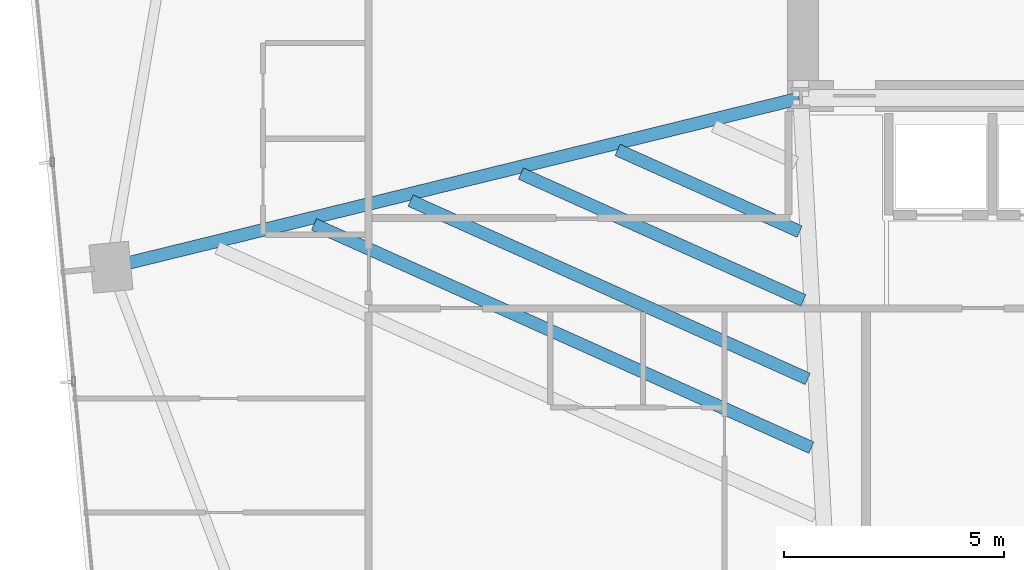
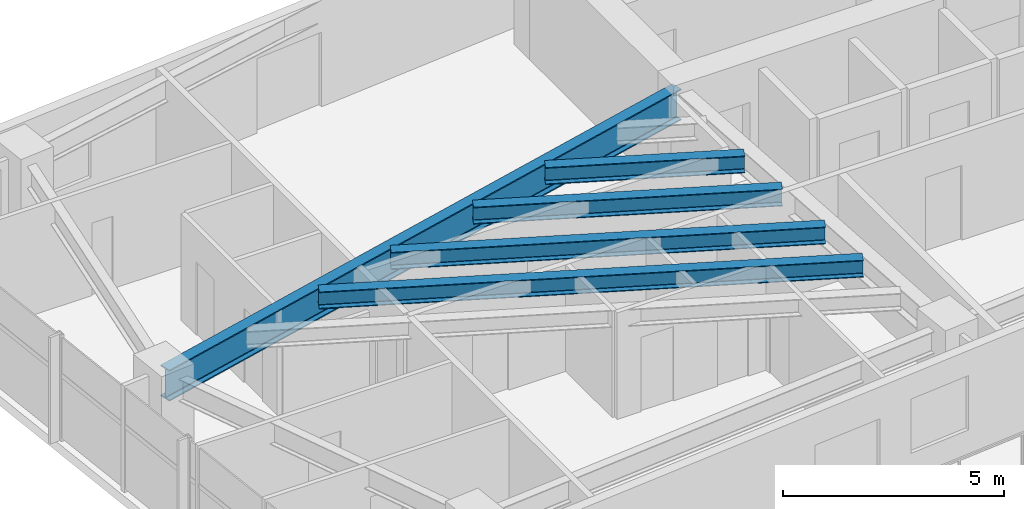
# One storey, part 5 of 27: 5 beams.
"""IFC4 building model written with IfcOpenShell, lengths in metres."""

from ifc_helpers import new_model, si_unit, direction, frame, origin, origin_2d, place, context, subcontext, project, spatial, i_section, extrude, source, transform, mapped, material, material_profile, profile_set, type_object, type_shapes, element, save


model = new_model("IFC4")

# Units and contexts
model_context = context("Model", 3, precision=1e-05, world=origin(), true_north=direction((0.0, 1.0)))
body_context = subcontext(model_context, "Body", "Model", "MODEL_VIEW")
ifc_project = project(units=[si_unit("LENGTHUNIT", "METRE"), si_unit("AREAUNIT", "SQUARE_METRE"), si_unit("VOLUMEUNIT", "CUBIC_METRE"), si_unit("PLANEANGLEUNIT", "RADIAN"), si_unit("MASSUNIT", "GRAM", prefix="KILO")], contexts=[model_context])

# Site, building, storey
site_placement = place(None, origin())
site = spatial("IfcSite", under=ifc_project, at=site_placement, CompositionType="ELEMENT")
building_placement = place(site_placement, origin())
building = spatial("IfcBuilding", under=site, at=building_placement, Name="Astriad Promenade Condominiums", CompositionType="ELEMENT")
storey_placement = place(building_placement, frame((0.0, 0.0, 93.800048828125)))
storey = spatial("IfcBuildingStorey", under=building, at=storey_placement, Name="L26", CompositionType="ELEMENT", Elevation=93.800048828125)

# Beams
ifc_material = material(Name="Steel ASTM A992 Grade 50", Category="steel")
ifc_material_profile_1 = material_profile(ifc_material, i_section(OverallWidth=0.2919921875, OverallDepth=0.85888671875, WebThickness=0.01708984375, FlangeThickness=0.031005859375, FilletRadius=0.02294921875, at=origin_2d()), Name="W33X169")
ifc_profile_set_1 = profile_set([ifc_material_profile_1], Name="Steel ASTM A992 Grade 50")
beam_type_1 = type_object("IfcBeamType", Name="STEEL PRIMARY GIRDER W33X169", PredefinedType="BEAM", material=ifc_profile_set_1)
shared_shape_1 = source(origin(), body_context, "Body", "SweptSolid", [
    extrude(i_section(OverallWidth=0.2919921875, OverallDepth=0.85888671875, WebThickness=0.01708984375, FlangeThickness=0.031005859375, FilletRadius=0.02294921875, at=origin_2d()), origin(), (0.0, 0.0, 1.0), 16.032470703125),
])
type_shapes(beam_type_1, [shared_shape_1])
beam_1_placement = place(storey_placement, frame((10.790283203125, 13.5703125, 2.510498046875), z_axis=(0.971199076901, 0.238269496633, 0.0), x_axis=(-0.238269496633, 0.971199076901, 0.0)))
element("IfcBeam", 1, at=beam_1_placement, inside=storey, type_object=beam_type_1, Name="Primary Floor Girder PG-WM-L26", PredefinedType="BEAM", context=body_context, shape_type="MappedRepresentation", body=[
    mapped(shared_shape_1, transform((0.0, 0.0, 0.0), scale=1.0)),
])
ifc_material_profile_2 = material_profile(ifc_material, i_section(OverallWidth=0.283203125, OverallDepth=0.47216796875, WebThickness=0.013671875, FlangeThickness=0.022216796875, FilletRadius=0.01513671875, at=origin_2d()), Name="W18X97")
ifc_profile_set_2 = profile_set([ifc_material_profile_2], Name="Steel ASTM A992 Grade 50")
beam_type_2 = type_object("IfcBeamType", Name="STEEL FLOOR JOIST W18X97", PredefinedType="JOIST", material=ifc_profile_set_2)
shared_shape_2 = source(origin(), body_context, "Body", "SweptSolid", [
    extrude(i_section(OverallWidth=0.283203125, OverallDepth=0.47216796875, WebThickness=0.013671875, FlangeThickness=0.022216796875, FilletRadius=0.01513671875, at=origin_2d()), origin(), (0.0, 0.0, 1.0), 12.369140625),
])
beam_2_placement = place(storey_placement, frame((15.35888671875, 14.534423828125, 2.703857421875), z_axis=(0.91230851279, -0.409503574454, 0.0), x_axis=(0.409503574454, 0.91230851279, 0.0)))
element("IfcBeam", 2, at=beam_2_placement, inside=storey, type_object=beam_type_2, Name="Secondary Composite Floor Joist JW1-2-L26", PredefinedType="JOIST", context=body_context, shape_type="MappedRepresentation", body=[
    mapped(shared_shape_2, transform((0.0, 0.0, 0.0), scale=1.0)),
])
shared_shape_3 = source(origin(), body_context, "Body", "SweptSolid", [
    extrude(i_section(OverallWidth=0.283203125, OverallDepth=0.47216796875, WebThickness=0.013671875, FlangeThickness=0.022216796875, FilletRadius=0.01513671875, at=origin_2d()), origin(), (0.0, 0.0, 1.0), 9.875),
])
beam_3_placement = place(storey_placement, frame((17.549560546875, 15.072021484375, 2.703857421875), z_axis=(0.912313833055, -0.409491721549, 0.0), x_axis=(0.409491721549, 0.912313833055, 0.0)))
element("IfcBeam", 3, at=beam_3_placement, inside=storey, type_object=beam_type_2, Name="Secondary Composite Floor Joist JW1-3-L26", PredefinedType="JOIST", context=body_context, shape_type="MappedRepresentation", body=[
    mapped(shared_shape_3, transform((0.0, 0.0, 0.0), scale=1.0)),
])
shared_shape_4 = source(origin(), body_context, "Body", "SweptSolid", [
    extrude(i_section(OverallWidth=0.283203125, OverallDepth=0.47216796875, WebThickness=0.013671875, FlangeThickness=0.022216796875, FilletRadius=0.01513671875, at=origin_2d()), origin(), (0.0, 0.0, 1.0), 7.024169921875),
])
beam_4_placement = place(storey_placement, frame((20.053466796875, 15.686279296875, 2.703857421875), z_axis=(0.912306106293, -0.409508935703, 0.0), x_axis=(0.409508935703, 0.912306106293, 0.0)))
element("IfcBeam", 4, at=beam_4_placement, inside=storey, type_object=beam_type_2, Name="Secondary Composite Floor Joist JW1-4-L26", PredefinedType="JOIST", context=body_context, shape_type="MappedRepresentation", body=[
    mapped(shared_shape_4, transform((0.0, 0.0, 0.0), scale=1.0)),
])
shared_shape_5 = source(origin(), body_context, "Body", "SweptSolid", [
    extrude(i_section(OverallWidth=0.283203125, OverallDepth=0.47216796875, WebThickness=0.013671875, FlangeThickness=0.022216796875, FilletRadius=0.01513671875, at=origin_2d()), origin(), (0.0, 0.0, 1.0), 4.52978515625),
])
type_shapes(beam_type_2, [shared_shape_2, shared_shape_3, shared_shape_4, shared_shape_5])
beam_5_placement = place(storey_placement, frame((22.244140625, 16.2236328125, 2.703857421875), z_axis=(0.912307341368, -0.409506184186, 0.0), x_axis=(0.409506184186, 0.912307341368, 0.0)))
element("IfcBeam", 5, at=beam_5_placement, inside=storey, type_object=beam_type_2, Name="Secondary Composite Floor Joist JW1-5-L26", PredefinedType="JOIST", context=body_context, shape_type="MappedRepresentation", body=[
    mapped(shared_shape_5, transform((0.0, 0.0, 0.0), scale=1.0)),
])

save(model, "model.ifc")
